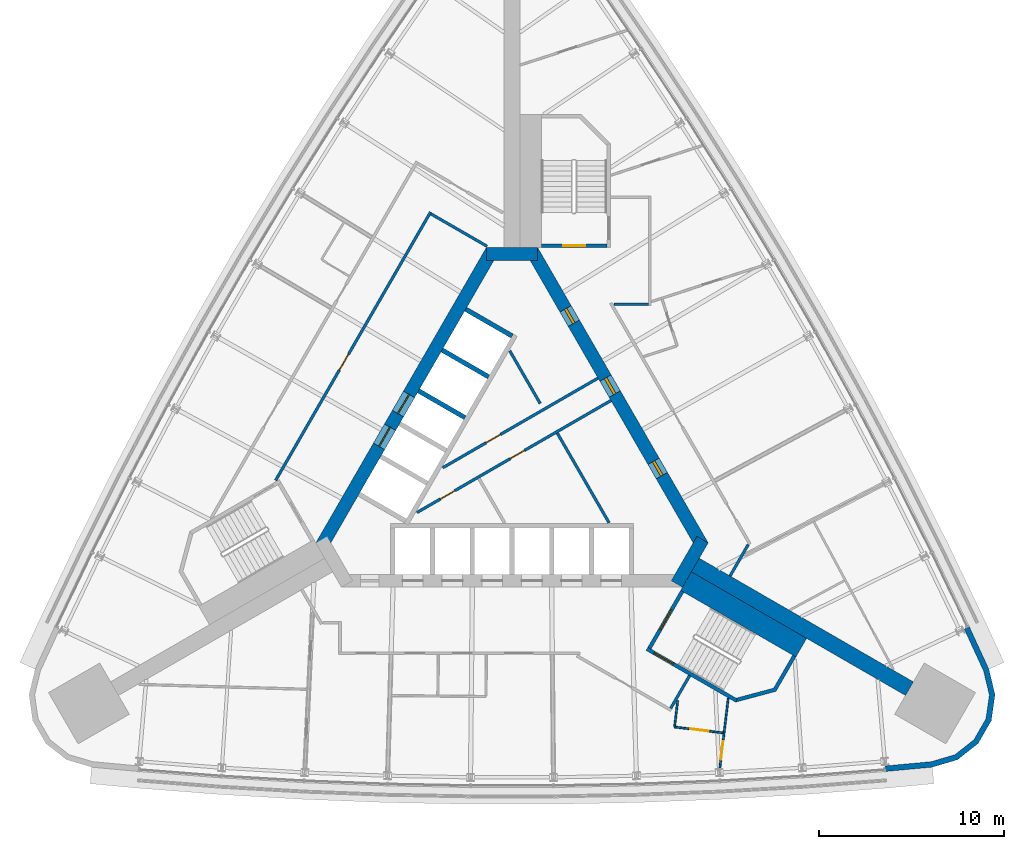
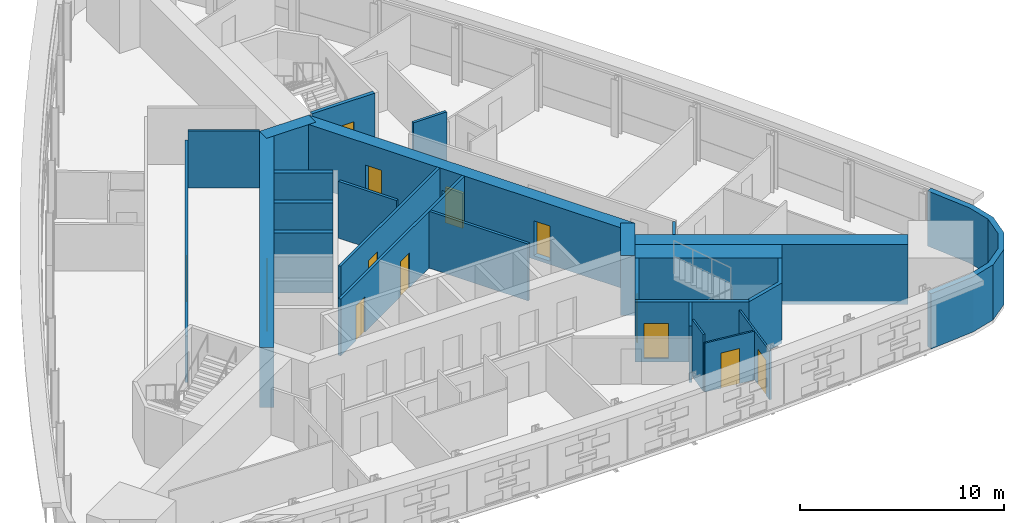
# One storey, part 10 of 14: 26 walls, 14 doors, 14 openings.
"""IFC4 building model written with IfcOpenShell, lengths in metres."""

from ifc_helpers import new_model, si_unit, direction, frame, frame_2d, origin, place, context, subcontext, project, spatial, polyline, rectangle, outline, extrude, material, layer, layer_set, type_object, element, fill, save


model = new_model("IFC4")

# Units and contexts
model_context = context("Model", 3, precision=1e-05, world=origin(), true_north=direction((0.0, 1.0)))
body_context = subcontext(model_context, "Body", "Model", "MODEL_VIEW")
ifc_project = project(units=[si_unit("LENGTHUNIT", "METRE"), si_unit("AREAUNIT", "SQUARE_METRE"), si_unit("VOLUMEUNIT", "CUBIC_METRE"), si_unit("PLANEANGLEUNIT", "RADIAN"), si_unit("MASSUNIT", "GRAM", prefix="KILO")], contexts=[model_context])

# Site, building, storey
site_placement = place(None, origin())
site = spatial("IfcSite", under=ifc_project, at=site_placement, CompositionType="ELEMENT")
building_placement = place(site_placement, origin())
building = spatial("IfcBuilding", under=site, at=building_placement, Name="Noor Cloister Tower", CompositionType="ELEMENT")
storey_placement = place(building_placement, frame((0.0, 0.0, 72.60009765625)))
storey = spatial("IfcBuildingStorey", under=building, at=storey_placement, Name="L18", CompositionType="ELEMENT", Elevation=72.60009765625)

# Wall
ifc_material_1 = material(Name="Concrete C80/95", Category="concrete")
ifc_layer_1 = layer(ifc_material_1, 0.85009765625)
ifc_layer_set_1 = layer_set([ifc_layer_1], Name="Buttress wall 850 C80/95")
wall_type_1 = type_object("IfcWallType", Name="Buttress wall 850 C80/95", PredefinedType="SHEAR", material=ifc_layer_set_1)
wall_1_placement = place(storey_placement, frame((9.921630859375, -5.728271484375, -0.2001953125), z_axis=(0.0, 0.0, 1.0), x_axis=(0.866026077102, -0.499998833779, 0.0)))
element("IfcWall", 1, at=wall_1_placement, inside=storey, type_object=wall_type_1, Name="Buttress wall SE L18", PredefinedType="SHEAR", context=body_context, shape_type="SweptSolid", body=[
    extrude(rectangle(XDim=13.38134765625, YDim=0.85009765625, at=frame_2d((6.690673828125, 0.0))), origin(), (0.0, 0.0, 1.0), 3.60009765625),
])

# Wall, openings, doors
ifc_material_2 = material(Name="Concrete C30/37", Category="concrete")
ifc_layer_2 = layer(ifc_material_2, 0.14990234375)
ifc_layer_set_2 = layer_set([ifc_layer_2], Name="Core partition 150 C30/37")
wall_type_2 = type_object("IfcWallType", Name="Core partition 150 C30/37", PredefinedType="PARTITIONING", material=ifc_layer_set_2)
wall_2_placement = place(storey_placement, frame((-5.147705078125, -2.8896484375, 0.0), z_axis=(0.0, 0.0, 1.0), x_axis=(0.866030081544, 0.499991897794, 0.0)))
wall_2 = element("IfcWall", 2, at=wall_2_placement, inside=storey, type_object=wall_type_2, Name="Core room partition L18 1", PredefinedType="PARTITIONING", context=body_context, shape_type="SweptSolid", body=[
    extrude(rectangle(XDim=12.131103515625, YDim=0.14990234375, at=frame_2d((6.0654296875, 0.0))), origin(), (0.0, 0.0, 1.0), 3.39990234375),
])
opening_1_placement = place(wall_2_placement, frame((5.8310546875, 0.0, 0.0)))
opening_1 = element("IfcOpeningElement", 3, at=opening_1_placement, cuts=wall_2, Name="Opening L18-904", PredefinedType="OPENING", context=body_context, shape_type="SweptSolid", body=[
    extrude(rectangle(XDim=0.89990234375, YDim=2.10009765625, at=frame_2d((0.449951171875, 1.050048828125))), frame((0.0, 0.0849609375, 0.0), z_axis=(0.0, -1.0, 0.0), x_axis=(1.0, 0.0, 0.0)), (0.0, 0.0, 1.0), 0.169921875),
])
opening_2_placement = place(wall_2_placement, frame((1.466552734375, 0.0, 0.0)))
opening_2 = element("IfcOpeningElement", 4, at=opening_2_placement, cuts=wall_2, Name="Opening L18-906", PredefinedType="OPENING", context=body_context, shape_type="SweptSolid", body=[
    extrude(rectangle(XDim=0.89990234375, YDim=2.10009765625, at=frame_2d((0.449951171875, 1.050048828125))), frame((0.0, 0.0849609375, 0.0), z_axis=(0.0, -1.0, 0.0), x_axis=(1.0, 0.0, 0.0)), (0.0, 0.0, 1.0), 0.169921875),
])
ifc_material_3 = material(Name="Steel", Category="steel")
door_type_1 = type_object("IfcDoorType", Name="Core door 900 x 2100 FD60", OperationType="SINGLE_SWING_LEFT", PredefinedType="DOOR", material=ifc_material_3)
door_1_placement = place(opening_1_placement, origin())
door_1 = element("IfcDoor", 5, at=door_1_placement, inside=storey, type_object=door_type_1, Name="Core door 4 L18", OperationType="SINGLE_SWING_RIGHT", OverallHeight=2.10009765625, OverallWidth=0.89990234375, PredefinedType="DOOR", context=body_context, shape_type="SweptSolid", body=[
    extrude(rectangle(XDim=0.89990234375, YDim=2.10009765625, at=frame_2d((0.449951171875, 1.050048828125))), frame((0.0, 0.02490234375, 0.0), z_axis=(0.0, -1.0, 0.0), x_axis=(1.0, 0.0, 0.0)), (0.0, 0.0, 1.0), 0.050048828125),
])
fill(opening_1, door_1)
door_2_placement = place(opening_2_placement, origin())
door_2 = element("IfcDoor", 6, at=door_2_placement, inside=storey, type_object=door_type_1, Name="Core door 6 L18", OperationType="SINGLE_SWING_RIGHT", OverallHeight=2.10009765625, OverallWidth=0.89990234375, PredefinedType="DOOR", context=body_context, shape_type="SweptSolid", body=[
    extrude(rectangle(XDim=0.89990234375, YDim=2.10009765625, at=frame_2d((0.449951171875, 1.050048828125))), frame((0.0, 0.02490234375, 0.0), z_axis=(0.0, -1.0, 0.0), x_axis=(1.0, 0.0, 0.0)), (0.0, 0.0, 1.0), 0.050048828125),
])
fill(opening_2, door_2)

# Wall, opening, door
wall_3_placement = place(storey_placement, frame((-3.747802734375, -0.46484375, 0.0), z_axis=(0.0, 0.0, 1.0), x_axis=(0.866033540873, 0.499985905884, 0.0)))
wall_3 = element("IfcWall", 7, at=wall_3_placement, inside=storey, type_object=wall_type_2, Name="Core room partition L18 2", PredefinedType="PARTITIONING", context=body_context, shape_type="SweptSolid", body=[
    extrude(rectangle(XDim=9.706298828125, YDim=0.14990234375, at=frame_2d((4.85302734375, 0.0))), origin(), (0.0, 0.0, 1.0), 3.39990234375),
])
opening_3_placement = place(wall_3_placement, frame((2.7041015625, 0.0, 0.0)))
opening_3 = element("IfcOpeningElement", 8, at=opening_3_placement, cuts=wall_3, Name="Opening L18-905", PredefinedType="OPENING", context=body_context, shape_type="SweptSolid", body=[
    extrude(rectangle(XDim=0.89990234375, YDim=2.10009765625, at=frame_2d((0.449951171875, 1.050048828125))), frame((0.0, 0.0849609375, 0.0), z_axis=(0.0, -1.0, 0.0), x_axis=(1.0, 0.0, 0.0)), (0.0, 0.0, 1.0), 0.169921875),
])
door_3_placement = place(opening_3_placement, origin())
door_3 = element("IfcDoor", 9, at=door_3_placement, inside=storey, type_object=door_type_1, Name="Core door 5 L18", OperationType="SINGLE_SWING_LEFT", OverallHeight=2.10009765625, OverallWidth=0.89990234375, PredefinedType="DOOR", context=body_context, shape_type="SweptSolid", body=[
    extrude(rectangle(XDim=0.89990234375, YDim=2.10009765625, at=frame_2d((0.449951171875, 1.050048828125))), frame((0.0, 0.02490234375, 0.0), z_axis=(0.0, -1.0, 0.0), x_axis=(1.0, 0.0, 0.0)), (0.0, 0.0, 1.0), 0.050048828125),
])
fill(opening_3, door_3)

# Walls
wall_4_placement = place(storey_placement, frame((1.526123046875, 3.012939453125, 0.0), z_axis=(0.0, 0.0, 1.0), x_axis=(-0.499978925887, 0.866037570588, 0.0)))
element("IfcWall", 10, at=wall_4_placement, inside=storey, type_object=wall_type_2, Name="Core room partition L18 3", PredefinedType="PARTITIONING", context=body_context, shape_type="SweptSolid", body=[
    extrude(rectangle(XDim=3.296142578125, YDim=0.14990234375, at=frame_2d((1.64794921875, 0.0))), origin(), (0.0, 0.0, 1.0), 3.39990234375),
])
wall_5_placement = place(storey_placement, frame((5.25146484375, -3.439208984375, 0.0), z_axis=(0.0, 0.0, 1.0), x_axis=(-0.500011755427, 0.866018616679, 0.0)))
element("IfcWall", 11, at=wall_5_placement, inside=storey, type_object=wall_type_2, Name="Core room partition L18 5", PredefinedType="PARTITIONING", context=body_context, shape_type="SweptSolid", body=[
    extrude(rectangle(XDim=5.600341796875, YDim=0.14990234375, at=frame_2d((2.80029296875, 0.0))), origin(), (0.0, 0.0, 1.0), 3.39990234375),
])
ifc_material_4 = material(Name="Concrete C80/95", Category="concrete")
ifc_layer_3 = layer(ifc_material_4, 0.699951171875)
ifc_layer_set_3 = layer_set([ifc_layer_3], Name="Core wall 700 C80/95")
wall_type_3 = type_object("IfcWallType", Name="Core wall 700 C80/95", PredefinedType="SHEAR", material=ifc_layer_set_3)
wall_6_placement = place(storey_placement, frame((8.925537109375, -6.753173828125, -0.2001953125), z_axis=(0.0, 0.0, 1.0), x_axis=(0.500042739161, 0.866000726912, 0.0)))
element("IfcWall", 12, at=wall_6_placement, inside=storey, type_object=wall_type_3, Name="Core wall L18 2", PredefinedType="SHEAR", context=body_context, shape_type="SweptSolid", body=[
    extrude(rectangle(XDim=2.771240234375, YDim=0.699951171875, at=frame_2d((1.3857421875, 0.0))), origin(), (0.0, 0.0, 1.0), 3.60009765625),
])

# Wall, openings, doors
wall_7_placement = place(storey_placement, frame((10.311279296875, -4.703125, -0.2001953125), z_axis=(0.0, 0.0, 1.0), x_axis=(-0.500001446645, 0.866024568562, 0.0)))
wall_7 = element("IfcWall", 13, at=wall_7_placement, inside=storey, type_object=wall_type_3, Name="Core wall L18 3", PredefinedType="SHEAR", context=body_context, shape_type="SweptSolid", body=[
    extrude(rectangle(XDim=18.45751953125, YDim=0.699951171875, at=frame_2d((9.228759765625, 0.0))), origin(), (0.0, 0.0, 1.0), 3.60009765625),
])
opening_4_placement = place(wall_7_placement, frame((9.5, 0.0, 0.199951171875)))
opening_4 = element("IfcOpeningElement", 14, at=opening_4_placement, cuts=wall_7, Name="Opening L18-901", PredefinedType="OPENING", context=body_context, shape_type="SweptSolid", body=[
    extrude(rectangle(XDim=1.0, YDim=2.10009765625, at=frame_2d((0.5, 1.050048828125))), frame((0.0, 0.35986328125, 0.0), z_axis=(0.0, -1.0, 0.0), x_axis=(1.0, 0.0, 0.0)), (0.0, 0.0, 1.0), 0.719970703125),
])
opening_5_placement = place(wall_7_placement, frame((4.402099609375, 0.0, 0.199951171875)))
opening_5 = element("IfcOpeningElement", 15, at=opening_5_placement, cuts=wall_7, Name="Opening L18-902", PredefinedType="OPENING", context=body_context, shape_type="SweptSolid", body=[
    extrude(rectangle(XDim=0.89990234375, YDim=2.10009765625, at=frame_2d((0.449951171875, 1.050048828125))), frame((0.0, 0.35986328125, 0.0), z_axis=(0.0, -1.0, 0.0), x_axis=(1.0, 0.0, 0.0)), (0.0, 0.0, 1.0), 0.719970703125),
])
opening_6_placement = place(wall_7_placement, frame((13.9267578125, 0.0, 0.199951171875)))
opening_6 = element("IfcOpeningElement", 16, at=opening_6_placement, cuts=wall_7, Name="Opening L18-903", PredefinedType="OPENING", context=body_context, shape_type="SweptSolid", body=[
    extrude(rectangle(XDim=0.89990234375, YDim=2.10009765625, at=frame_2d((0.449951171875, 1.050048828125))), frame((0.0, 0.35986328125, 0.0), z_axis=(0.0, -1.0, 0.0), x_axis=(1.0, 0.0, 0.0)), (0.0, 0.0, 1.0), 0.719970703125),
])
ifc_material_5 = material(Name="Steel", Category="steel")
door_type_2 = type_object("IfcDoorType", Name="Core door 1000 x 2100 FD120", OperationType="SINGLE_SWING_LEFT", PredefinedType="DOOR", material=ifc_material_5)
door_4_placement = place(opening_4_placement, origin())
door_4 = element("IfcDoor", 17, at=door_4_placement, inside=storey, type_object=door_type_2, Name="Core door 1 L18", OperationType="SINGLE_SWING_LEFT", OverallHeight=2.10009765625, OverallWidth=1.0, PredefinedType="DOOR", context=body_context, shape_type="SweptSolid", body=[
    extrude(rectangle(XDim=1.0, YDim=2.10009765625, at=frame_2d((0.5, 1.050048828125))), frame((0.0, 0.074951171875, 0.0), z_axis=(0.0, -1.0, 0.0), x_axis=(1.0, 0.0, 0.0)), (0.0, 0.0, 1.0), 0.14990234375),
])
fill(opening_4, door_4)
ifc_material_6 = material(Name="Steel", Category="steel")
door_type_3 = type_object("IfcDoorType", Name="Core door 900 x 2100 FD120", OperationType="SINGLE_SWING_LEFT", PredefinedType="DOOR", material=ifc_material_6)
door_5_placement = place(opening_6_placement, origin())
door_5 = element("IfcDoor", 18, at=door_5_placement, inside=storey, type_object=door_type_3, Name="Core door 3 L18", OperationType="SINGLE_SWING_LEFT", OverallHeight=2.10009765625, OverallWidth=0.89990234375, PredefinedType="DOOR", context=body_context, shape_type="SweptSolid", body=[
    extrude(rectangle(XDim=0.89990234375, YDim=2.10009765625, at=frame_2d((0.449951171875, 1.050048828125))), frame((0.0, 0.074951171875, 0.0), z_axis=(0.0, -1.0, 0.0), x_axis=(1.0, 0.0, 0.0)), (0.0, 0.0, 1.0), 0.14990234375),
])
fill(opening_6, door_5)
door_6_placement = place(opening_5_placement, origin())
door_6 = element("IfcDoor", 19, at=door_6_placement, inside=storey, type_object=door_type_1, Name="Core door 2 L18", OperationType="SINGLE_SWING_RIGHT", OverallHeight=2.10009765625, OverallWidth=0.89990234375, PredefinedType="DOOR", context=body_context, shape_type="SweptSolid", body=[
    extrude(rectangle(XDim=0.89990234375, YDim=2.10009765625, at=frame_2d((0.449951171875, 1.050048828125))), frame((0.0, 0.074951171875, 0.0), z_axis=(0.0, -1.0, 0.0), x_axis=(1.0, 0.0, 0.0)), (0.0, 0.0, 1.0), 0.14990234375),
])
fill(opening_5, door_6)

# Wall
wall_8_placement = place(storey_placement, frame((1.3857421875, 11.1064453125, -0.2001953125), z_axis=(0.0, 0.0, 1.0), x_axis=(-1.0, 0.0, 0.0)))
element("IfcWall", 20, at=wall_8_placement, inside=storey, type_object=wall_type_3, Name="Core wall L18 4", PredefinedType="SHEAR", context=body_context, shape_type="SweptSolid", body=[
    extrude(rectangle(XDim=2.771484375, YDim=0.699951171875, at=frame_2d((1.3857421875, 0.0))), origin(), (0.0, 0.0, 1.0), 3.60009765625),
])

# Wall, openings, doors
wall_9_placement = place(storey_placement, frame((-1.08251953125, 11.281494140625, -0.2001953125), z_axis=(0.0, 0.0, 1.0), x_axis=(-0.500001446645, -0.866024568562, 0.0)))
wall_9 = element("IfcWall", 21, at=wall_9_placement, inside=storey, type_object=wall_type_3, Name="Core wall L18 5", PredefinedType="SHEAR", context=body_context, shape_type="SweptSolid", body=[
    extrude(rectangle(XDim=18.45751953125, YDim=0.699951171875, at=frame_2d((9.228759765625, 0.0))), origin(), (0.0, 0.0, 1.0), 3.60009765625),
])
opening_7_placement = place(wall_9_placement, frame((8.978759765625, 0.0, 0.199951171875)))
opening_7 = element("IfcOpeningElement", 22, at=opening_7_placement, cuts=wall_9, Name="Opening L18-FF1", PredefinedType="OPENING", context=body_context, shape_type="SweptSolid", body=[
    extrude(rectangle(XDim=1.199951171875, YDim=2.10009765625, at=frame_2d((0.60009765625, 1.050048828125))), frame((0.0, 0.35986328125, 0.0), z_axis=(0.0, -1.0, 0.0), x_axis=(1.0, 0.0, 0.0)), (0.0, 0.0, 1.0), 0.719970703125),
])
opening_8_placement = place(wall_9_placement, frame((11.02880859375, 0.0, 0.199951171875)))
opening_8 = element("IfcOpeningElement", 23, at=opening_8_placement, cuts=wall_9, Name="Opening L18-FF2", PredefinedType="OPENING", context=body_context, shape_type="SweptSolid", body=[
    extrude(rectangle(XDim=1.199951171875, YDim=2.10009765625, at=frame_2d((0.60009765625, 1.050048828125))), frame((0.0, 0.35986328125, 0.0), z_axis=(0.0, -1.0, 0.0), x_axis=(1.0, 0.0, 0.0)), (0.0, 0.0, 1.0), 0.719970703125),
])
ifc_material_7 = material(Name="Stainless steel", Category="steel")
door_type_4 = type_object("IfcDoorType", Name="Lift landing door 1200 x 2100", OperationType="DOUBLE_DOOR_SLIDING", PredefinedType="DOOR", material=ifc_material_7)
door_7_placement = place(opening_7_placement, origin())
door_7 = element("IfcDoor", 24, at=door_7_placement, inside=storey, type_object=door_type_4, Name="Landing door FF1 L18", OperationType="DOUBLE_DOOR_SLIDING", OverallHeight=2.10009765625, OverallWidth=1.199951171875, PredefinedType="DOOR", context=body_context, shape_type="SweptSolid", body=[
    extrude(rectangle(XDim=1.199951171875, YDim=2.10009765625, at=frame_2d((0.60009765625, 1.050048828125))), frame((0.0, 0.02490234375, 0.0), z_axis=(0.0, -1.0, 0.0), x_axis=(1.0, 0.0, 0.0)), (0.0, 0.0, 1.0), 0.050048828125),
])
fill(opening_7, door_7)
door_8_placement = place(opening_8_placement, origin())
door_8 = element("IfcDoor", 25, at=door_8_placement, inside=storey, type_object=door_type_4, Name="Landing door FF2 L18", OperationType="DOUBLE_DOOR_SLIDING", OverallHeight=2.10009765625, OverallWidth=1.199951171875, PredefinedType="DOOR", context=body_context, shape_type="SweptSolid", body=[
    extrude(rectangle(XDim=1.199951171875, YDim=2.10009765625, at=frame_2d((0.60009765625, 1.050048828125))), frame((0.0, 0.02490234375, 0.0), z_axis=(0.0, -1.0, 0.0), x_axis=(1.0, 0.0, 0.0)), (0.0, 0.0, 1.0), 0.050048828125),
])
fill(opening_8, door_8)

# Wall, opening, door
ifc_material_8 = material(Name="Fire-rated gypsum board partition on steel studs, 150 mm", Category="steel")
ifc_layer_4 = layer(ifc_material_8, 0.14990234375)
ifc_layer_set_4 = layer_set([ifc_layer_4], Name="Fire lobby wall 150")
wall_type_4 = type_object("IfcWallType", Name="Fire lobby wall 150", PredefinedType="PARTITIONING", material=ifc_layer_set_4)
wall_10_placement = place(storey_placement, frame((-4.40673828125, 13.373779296875, 0.0), z_axis=(0.0, 0.0, 1.0), x_axis=(-0.499997181693, -0.866027030928, 0.0)))
wall_10 = element("IfcWall", 26, at=wall_10_placement, inside=storey, type_object=wall_type_4, Name="Fire lobby wall 150 L18 002", PredefinedType="PARTITIONING", context=body_context, shape_type="SweptSolid", body=[
    extrude(rectangle(XDim=16.76953125, YDim=0.14990234375, at=frame_2d((8.384765625, 0.0))), origin(), (0.0, 0.0, 1.0), 2.77783203125),
])
opening_9_placement = place(wall_10_placement, frame((8.878662109375, 0.0, 0.0)))
opening_9 = element("IfcOpeningElement", 27, at=opening_9_placement, cuts=wall_10, Name="Opening L18-003", PredefinedType="OPENING", context=body_context, shape_type="SweptSolid", body=[
    extrude(rectangle(XDim=1.0, YDim=2.10009765625, at=frame_2d((0.5, 1.050048828125))), frame((0.0, 0.0849609375, 0.0), z_axis=(0.0, -1.0, 0.0), x_axis=(1.0, 0.0, 0.0)), (0.0, 0.0, 1.0), 0.169921875),
])
ifc_material_9 = material(Name="Timber door leaf with steel frame", Category="steel")
door_type_5 = type_object("IfcDoorType", Name="Fire lobby door 1000", OperationType="NOTDEFINED", PredefinedType="DOOR", material=ifc_material_9)
door_9_placement = place(opening_9_placement, origin())
door_9 = element("IfcDoor", 28, at=door_9_placement, inside=storey, type_object=door_type_5, Name="Fire lobby door 1000 L18-003", OperationType="SINGLE_SWING_RIGHT", OverallHeight=2.10009765625, OverallWidth=1.0, PredefinedType="DOOR", context=body_context, shape_type="SweptSolid", body=[
    extrude(rectangle(XDim=1.0, YDim=2.10009765625, at=frame_2d((0.5, 1.050048828125))), frame((0.0, 0.02490234375, 0.0), z_axis=(0.0, -1.0, 0.0), x_axis=(1.0, 0.0, 0.0)), (0.0, 0.0, 1.0), 0.050048828125),
])
fill(opening_9, door_9)

# Walls
wall_11_placement = place(storey_placement, frame((-4.379150390625, 13.271484375, 0.0), z_axis=(0.0, 0.0, 1.0), x_axis=(0.866019471182, -0.500010275428, 0.0)))
element("IfcWall", 29, at=wall_11_placement, inside=storey, type_object=wall_type_4, Name="Fire lobby wall 150 L18 008", PredefinedType="PARTITIONING", context=body_context, shape_type="SweptSolid", body=[
    extrude(rectangle(XDim=3.5, YDim=0.14990234375, at=frame_2d((1.75, 0.0))), origin(), (0.0, 0.0, 1.0), 3.39990234375),
])
ifc_material_10 = material(Name="Gypsum board partition on steel studs, 150 mm", Category="steel")
ifc_layer_5 = layer(ifc_material_10, 0.14990234375)
ifc_layer_set_5 = layer_set([ifc_layer_5], Name="Flat wall 150")
wall_type_5 = type_object("IfcWallType", Name="Flat wall 150", PredefinedType="PARTITIONING", material=ifc_layer_set_5)
wall_12_placement = place(storey_placement, frame((8.588623046875, -13.48681640625, 0.0), z_axis=(0.0, 0.0, 1.0), x_axis=(0.499956128963, 0.866050731258, 0.0)))
element("IfcWall", 30, at=wall_12_placement, inside=storey, type_object=wall_type_5, Name="Flat wall 150 L18 010", PredefinedType="PARTITIONING", context=body_context, shape_type="SweptSolid", body=[
    extrude(rectangle(XDim=2.050048828125, YDim=0.14990234375, at=frame_2d((1.02490234375, 0.0))), origin(), (0.0, 0.0, 1.0), 3.39990234375),
])
wall_13_placement = place(storey_placement, frame((11.801025390625, -6.322509765625, 0.0), z_axis=(0.0, 0.0, 1.0), x_axis=(0.500058665202, 0.865991530765, 0.0)))
element("IfcWall", 31, at=wall_13_placement, inside=storey, type_object=wall_type_5, Name="Flat wall 150 L18 011", PredefinedType="PARTITIONING", context=body_context, shape_type="SweptSolid", body=[
    extrude(rectangle(XDim=1.969482421875, YDim=0.14990234375, at=frame_2d((0.98486328125, 0.0))), origin(), (0.0, 0.0, 1.0), 2.77783203125),
])
wall_14_placement = place(storey_placement, frame((5.513671875, 8.38134765625, 0.0), z_axis=(0.0, 0.0, 1.0), x_axis=(1.0, 0.0, 0.0)))
element("IfcWall", 32, at=wall_14_placement, inside=storey, type_object=wall_type_5, Name="Flat wall 150 L18 013", PredefinedType="PARTITIONING", context=body_context, shape_type="SweptSolid", body=[
    extrude(rectangle(XDim=1.871826171875, YDim=0.14990234375, at=frame_2d((0.93603515625, 0.0))), origin(), (0.0, 0.0, 1.0), 3.39990234375),
])
ifc_material_11 = material(Name="Limestone", Category="masonry")
ifc_layer_6 = layer(ifc_material_11, 0.300048828125)
ifc_layer_set_6 = layer_set([ifc_layer_6], Name="Limestone cladding 300")
wall_type_6 = type_object("IfcWallType", Name="Limestone cladding 300", PredefinedType="NOTDEFINED", material=ifc_layer_set_6)
wall_15_placement = place(storey_placement, origin())
element("IfcWall", 33, at=wall_15_placement, inside=storey, type_object=wall_type_6, Name="Limestone pier cladding L18 2.1", PredefinedType="NOTDEFINED", context=body_context, shape_type="SweptSolid", body=[
    extrude(outline(polyline([(20.224609375, -16.900634765625), (22.750244140625, -16.6669921875), (24.112060546875, -16.26416015625), (25.227783203125, -15.38525390625), (25.937744140625, -14.1552734375), (26.141357421875, -12.74951171875), (25.809326171875, -11.36865234375), (24.748779296875, -9.064697265625), (24.476318359375, -9.18994140625), (25.5244140625, -11.467529296875), (25.836181640625, -12.763671875), (25.649169921875, -14.05517578125), (24.99658203125, -15.185302734375), (23.9716796875, -15.992919921875), (22.693359375, -16.37109375), (20.197021484375, -16.60205078125), (20.224609375, -16.900634765625)])), origin(), (0.0, 0.0, 1.0), 3.2998046875),
])

# Wall, opening, door
ifc_material_12 = material(Name="Gypsum board partition on steel studs, 100 mm", Category="steel")
ifc_layer_7 = layer(ifc_material_12, 0.10009765625)
ifc_layer_set_7 = layer_set([ifc_layer_7], Name="Partition 100")
wall_type_7 = type_object("IfcWallType", Name="Partition 100", PredefinedType="PARTITIONING", material=ifc_layer_set_7)
wall_16_placement = place(storey_placement, frame((11.70263671875, -12.940185546875, 0.0), z_axis=(0.0, 0.0, 1.0), x_axis=(-0.119454840068, -0.99283963518, 0.0)))
wall_16 = element("IfcWall", 34, at=wall_16_placement, inside=storey, type_object=wall_type_7, Name="Partition 100 L18 029", PredefinedType="PARTITIONING", context=body_context, shape_type="SweptSolid", body=[
    extrude(rectangle(XDim=3.793212890625, YDim=0.10009765625, at=frame_2d((1.896484375, 0.0))), origin(), (0.0, 0.0, 1.0), 2.9228515625),
])
opening_10_placement = place(wall_16_placement, frame((2.336181640625, 0.0, 0.0)))
opening_10 = element("IfcOpeningElement", 35, at=opening_10_placement, cuts=wall_16, Name="Opening L18-020", PredefinedType="OPENING", context=body_context, shape_type="SweptSolid", body=[
    extrude(rectangle(XDim=1.0, YDim=2.10009765625, at=frame_2d((0.5, 1.050048828125))), frame((0.0, 0.06005859375, 0.0), z_axis=(0.0, -1.0, 0.0), x_axis=(1.0, 0.0, 0.0)), (0.0, 0.0, 1.0), 0.1201171875),
])
ifc_material_13 = material(Name="Timber door leaf with steel frame", Category="steel")
door_type_6 = type_object("IfcDoorType", Name="Interior door 1000", OperationType="NOTDEFINED", PredefinedType="DOOR", material=ifc_material_13)
door_10_placement = place(opening_10_placement, origin())
door_10 = element("IfcDoor", 36, at=door_10_placement, inside=storey, type_object=door_type_6, Name="Interior door 1000 L18-020", OperationType="SINGLE_SWING_RIGHT", OverallHeight=2.10009765625, OverallWidth=1.0, PredefinedType="DOOR", context=body_context, shape_type="SweptSolid", body=[
    extrude(rectangle(XDim=1.0, YDim=2.10009765625, at=frame_2d((0.5, 1.050048828125))), frame((0.0, 0.02490234375, 0.0), z_axis=(0.0, -1.0, 0.0), x_axis=(1.0, 0.0, 0.0)), (0.0, 0.0, 1.0), 0.050048828125),
])
fill(opening_10, door_10)

wall_17_placement = place(storey_placement, frame((8.7958984375, -14.495849609375, 0.0), z_axis=(0.0, 0.0, 1.0), x_axis=(0.992835802838, -0.119486687973, 0.0)))
wall_17 = element("IfcWall", 37, at=wall_17_placement, inside=storey, type_object=wall_type_7, Name="Partition 100 L18 032", PredefinedType="PARTITIONING", context=body_context, shape_type="SweptSolid", body=[
    extrude(rectangle(XDim=2.650146484375, YDim=0.10009765625, at=frame_2d((1.3251953125, 0.0))), origin(), (0.0, 0.0, 1.0), 2.9228515625),
])
opening_11_placement = place(wall_17_placement, frame((0.85009765625, 0.0, 0.0)))
opening_11 = element("IfcOpeningElement", 38, at=opening_11_placement, cuts=wall_17, Name="Opening L18-022", PredefinedType="OPENING", context=body_context, shape_type="SweptSolid", body=[
    extrude(rectangle(XDim=1.0, YDim=2.10009765625, at=frame_2d((0.5, 1.050048828125))), frame((0.0, 0.06005859375, 0.0), z_axis=(0.0, -1.0, 0.0), x_axis=(1.0, 0.0, 0.0)), (0.0, 0.0, 1.0), 0.1201171875),
])
door_11_placement = place(opening_11_placement, origin())
door_11 = element("IfcDoor", 39, at=door_11_placement, inside=storey, type_object=door_type_6, Name="Interior door 1000 L18-022", OperationType="SINGLE_SWING_RIGHT", OverallHeight=2.10009765625, OverallWidth=1.0, PredefinedType="DOOR", context=body_context, shape_type="SweptSolid", body=[
    extrude(rectangle(XDim=1.0, YDim=2.10009765625, at=frame_2d((0.5, 1.050048828125))), frame((0.0, 0.02490234375, 0.0), z_axis=(0.0, -1.0, 0.0), x_axis=(1.0, 0.0, 0.0)), (0.0, 0.0, 1.0), 0.050048828125),
])
fill(opening_11, door_11)

# Walls
wall_18_placement = place(storey_placement, frame((8.96728515625, -13.072998046875, 0.0), z_axis=(0.0, 0.0, 1.0), x_axis=(-0.119493210152, -0.992835017879, 0.0)))
element("IfcWall", 40, at=wall_18_placement, inside=storey, type_object=wall_type_7, Name="Partition 100 L18 038", PredefinedType="PARTITIONING", context=body_context, shape_type="SweptSolid", body=[
    extrude(rectangle(XDim=1.38330078125, YDim=0.10009765625, at=frame_2d((0.691650390625, 0.0))), origin(), (0.0, 0.0, 1.0), 3.39990234375),
])
ifc_material_14 = material(Name="Concrete C80/95", Category="concrete")
ifc_layer_8 = layer(ifc_material_14, 0.25)
ifc_layer_set_8 = layer_set([ifc_layer_8], Name="Shaft wall 250 C80/95")
wall_type_8 = type_object("IfcWallType", Name="Shaft wall 250 C80/95", PredefinedType="PARTITIONING", material=ifc_layer_set_8)
wall_19_placement = place(storey_placement, frame((-2.50634765625, 8.115478515625, -0.2001953125), z_axis=(0.0, 0.0, 1.0), x_axis=(0.865996321171, -0.50005036918, 0.0)))
element("IfcWall", 41, at=wall_19_placement, inside=storey, type_object=wall_type_8, Name="Lift shaft wall L18 NW 1", PredefinedType="PARTITIONING", context=body_context, shape_type="SweptSolid", body=[
    extrude(rectangle(XDim=2.900146484375, YDim=0.25, at=frame_2d((1.4501953125, 0.0))), origin(), (0.0, 0.0, 1.0), 3.60009765625),
])
for number, where, z_axis, x_axis, name in (
    (42, (-3.78125, 5.906982421875, -0.2001953125), (0.0, 0.0, 1.0), (0.866032775405, -0.499987231761, 0.0), "Lift shaft wall L18 NW 2"),
    (43, (-5.056396484375, 3.69873046875, -0.2001953125), (0.0, 0.0, 1.0), (0.866032775405, -0.499987231761, 0.0), "Lift shaft wall L18 NW 3"),
):
    element("IfcWall", number, at=place(storey_placement, frame(where, z_axis=z_axis, x_axis=x_axis)), inside=storey, type_object=wall_type_8, Name=name, PredefinedType="PARTITIONING", context=body_context, shape_type="SweptSolid", body=[
        extrude(rectangle(XDim=2.89990234375, YDim=0.25, at=frame_2d((1.449951171875, 0.0))), origin(), (0.0, 0.0, 1.0), 3.60009765625),
    ])
ifc_material_15 = material(Name="Concrete C80/95", Category="concrete")
ifc_layer_9 = layer(ifc_material_15, 1.160888671875)
ifc_layer_set_9 = layer_set([ifc_layer_9], Name="Stair enclosure wall 1161 C80/95")
wall_type_9 = type_object("IfcWallType", Name="Stair enclosure wall 1161 C80/95", PredefinedType="SHEAR", material=ifc_layer_set_9)
wall_20_placement = place(storey_placement, frame((9.4189453125, -6.598876953125, -0.2001953125), z_axis=(0.0, 0.0, 1.0), x_axis=(0.866033125095, -0.499986626058, 0.0)))
element("IfcWall", 44, at=wall_20_placement, inside=storey, type_object=wall_type_9, Name="Stair enclosure wall ST3 L18 riser side", PredefinedType="SHEAR", context=body_context, shape_type="SweptSolid", body=[
    extrude(rectangle(XDim=7.199951171875, YDim=1.16064453125, at=frame_2d((3.60009765625, 0.0))), origin(), (0.0, 0.0, 1.0), 3.60009765625),
])

# Wall, opening, door
ifc_material_16 = material(Name="Concrete C80/95", Category="concrete")
ifc_layer_10 = layer(ifc_material_16, 0.199951171875)
ifc_layer_set_10 = layer_set([ifc_layer_10], Name="Stair enclosure wall 200 C80/95")
wall_type_10 = type_object("IfcWallType", Name="Stair enclosure wall 200 C80/95", PredefinedType="SHEAR", material=ifc_layer_set_10)
wall_21_placement = place(storey_placement, frame((5.135498046875, 11.556396484375, -0.2001953125), z_axis=(0.0, 0.0, 1.0), x_axis=(-1.0, 0.0, 0.0)))
wall_21 = element("IfcWall", 45, at=wall_21_placement, inside=storey, type_object=wall_type_10, Name="Stair enclosure wall ST1 L18 near end", PredefinedType="SHEAR", context=body_context, shape_type="SweptSolid", body=[
    extrude(rectangle(XDim=3.5498046875, YDim=0.199951171875, at=frame_2d((1.77490234375, 0.0))), origin(), (0.0, 0.0, 1.0), 3.60009765625),
])
opening_12_placement = place(wall_21_placement, frame((1.175048828125, 0.0, 0.199951171875)))
opening_12 = element("IfcOpeningElement", 46, at=opening_12_placement, cuts=wall_21, Name="Opening L18-ST1L", PredefinedType="OPENING", context=body_context, shape_type="SweptSolid", body=[
    extrude(rectangle(XDim=1.199951171875, YDim=2.10009765625, at=frame_2d((0.60009765625, 1.050048828125))), frame((0.0, 0.10986328125, 0.0), z_axis=(0.0, -1.0, 0.0), x_axis=(1.0, 0.0, 0.0)), (0.0, 0.0, 1.0), 0.219970703125),
])
ifc_material_17 = material(Name="Steel", Category="steel")
door_type_7 = type_object("IfcDoorType", Name="Stair door 1200 x 2100 FD120", OperationType="SINGLE_SWING_LEFT", PredefinedType="DOOR", material=ifc_material_17)
door_12_placement = place(opening_12_placement, origin())
door_12 = element("IfcDoor", 47, at=door_12_placement, inside=storey, type_object=door_type_7, Name="Stair door ST1 L18", OperationType="SINGLE_SWING_RIGHT", OverallHeight=2.10009765625, OverallWidth=1.199951171875, PredefinedType="DOOR", context=body_context, shape_type="SweptSolid", body=[
    extrude(rectangle(XDim=1.199951171875, YDim=2.10009765625, at=frame_2d((0.60009765625, 1.050048828125))), frame((0.0, 0.02490234375, 0.0), z_axis=(0.0, -1.0, 0.0), x_axis=(1.0, 0.0, 0.0)), (0.0, 0.0, 1.0), 0.050048828125),
])
fill(opening_12, door_12)

wall_22_placement = place(storey_placement, frame((7.440185546875, -10.225830078125, -0.2001953125), z_axis=(0.0, 0.0, 1.0), x_axis=(0.500022077904, 0.866012656725, 0.0)))
wall_22 = element("IfcWall", 48, at=wall_22_placement, inside=storey, type_object=wall_type_10, Name="Stair enclosure wall ST3 L18 near end", PredefinedType="SHEAR", context=body_context, shape_type="SweptSolid", body=[
    extrude(rectangle(XDim=3.550048828125, YDim=0.199951171875, at=frame_2d((1.77490234375, 0.0))), origin(), (0.0, 0.0, 1.0), 3.60009765625),
])
opening_13_placement = place(wall_22_placement, frame((1.175048828125, 0.0, 0.199951171875)))
opening_13 = element("IfcOpeningElement", 49, at=opening_13_placement, cuts=wall_22, Name="Opening L18-ST3L", PredefinedType="OPENING", context=body_context, shape_type="SweptSolid", body=[
    extrude(rectangle(XDim=1.199951171875, YDim=2.10009765625, at=frame_2d((0.60009765625, 1.050048828125))), frame((0.0, 0.10986328125, 0.0), z_axis=(0.0, -1.0, 0.0), x_axis=(1.0, 0.0, 0.0)), (0.0, 0.0, 1.0), 0.219970703125),
])
door_13_placement = place(opening_13_placement, origin())
door_13 = element("IfcDoor", 50, at=door_13_placement, inside=storey, type_object=door_type_7, Name="Stair door ST3 L18", OperationType="SINGLE_SWING_RIGHT", OverallHeight=2.10009765625, OverallWidth=1.199951171875, PredefinedType="DOOR", context=body_context, shape_type="SweptSolid", body=[
    extrude(rectangle(XDim=1.199951171875, YDim=2.10009765625, at=frame_2d((0.60009765625, 1.050048828125))), frame((0.0, 0.02490234375, 0.0), z_axis=(0.0, -1.0, 0.0), x_axis=(1.0, 0.0, 0.0)), (0.0, 0.0, 1.0), 0.050048828125),
])
fill(opening_13, door_13)

wall_23_placement = place(storey_placement, frame((7.3037109375, -10.262451171875, -0.2001953125), z_axis=(0.0, 0.0, 1.0), x_axis=(0.866026594901, -0.49999793692, 0.0)))
wall_23 = element("IfcWall", 51, at=wall_23_placement, inside=storey, type_object=wall_type_10, Name="Stair enclosure wall ST3 L18 outer side", PredefinedType="SHEAR", context=body_context, shape_type="SweptSolid", body=[
    extrude(rectangle(XDim=5.60009765625, YDim=0.199951171875, at=frame_2d((2.800048828125, 0.0))), origin(), (0.0, 0.0, 1.0), 3.60009765625),
])
opening_14_placement = place(wall_23_placement, frame((0.449951171875, 0.0, 0.199951171875)))
opening_14 = element("IfcOpeningElement", 52, at=opening_14_placement, cuts=wall_23, Name="Opening L18-ST3C", PredefinedType="OPENING", context=body_context, shape_type="SweptSolid", body=[
    extrude(rectangle(XDim=1.199951171875, YDim=2.10009765625, at=frame_2d((0.60009765625, 1.050048828125))), frame((0.0, 0.10986328125, 0.0), z_axis=(0.0, -1.0, 0.0), x_axis=(1.0, 0.0, 0.0)), (0.0, 0.0, 1.0), 0.219970703125),
])
door_14_placement = place(opening_14_placement, origin())
door_14 = element("IfcDoor", 53, at=door_14_placement, inside=storey, type_object=door_type_7, Name="Stair door ST3 L18", OperationType="SINGLE_SWING_LEFT", OverallHeight=2.10009765625, OverallWidth=1.199951171875, PredefinedType="DOOR", context=body_context, shape_type="SweptSolid", body=[
    extrude(rectangle(XDim=1.199951171875, YDim=2.10009765625, at=frame_2d((0.60009765625, 1.050048828125))), frame((0.0, 0.02490234375, 0.0), z_axis=(0.0, -1.0, 0.0), x_axis=(1.0, 0.0, 0.0)), (0.0, 0.0, 1.0), 0.050048828125),
])
fill(opening_14, door_14)

# Wall
ifc_material_18 = material(Name="Concrete C80/95", Category="concrete")
wall_type_11 = type_object("IfcWallType", Name="Stair far end wall C80/95", PredefinedType="SHEAR", material=ifc_material_18)
wall_24_placement = place(storey_placement, frame((0.0, 0.0, -0.2001953125)))
element("IfcWall", 54, at=wall_24_placement, inside=storey, type_object=wall_type_11, Name="Stair enclosure wall ST3 L18 far end", PredefinedType="SHEAR", context=body_context, shape_type="SweptSolid", body=[
    extrude(outline(polyline([(12.103515625, -13.14892578125), (14.2890625, -12.5634765625), (15.364013671875, -10.701416015625), (15.19091796875, -10.601318359375), (14.1572265625, -12.3916015625), (12.131591796875, -12.934326171875), (12.20361328125, -12.975830078125), (12.20361328125, -12.975830078125), (12.20361328125, -12.975830078125), (12.20361328125, -12.975830078125), (12.20361328125, -12.975830078125), (12.20361328125, -12.975830078125), (12.20361328125, -12.975830078125), (12.20361328125, -12.975830078125), (12.20361328125, -12.975830078125), (12.20361328125, -12.975830078125), (12.20361328125, -12.975830078125), (12.20361328125, -12.975830078125), (12.20361328125, -12.975830078125), (12.20361328125, -12.975830078125), (12.20361328125, -12.975830078125), (12.20361328125, -12.975830078125), (12.20361328125, -12.975830078125), (12.103515625, -13.14892578125)])), origin(), (0.0, 0.0, 1.0), 3.60009765625),
])

save(model, "model.ifc")
